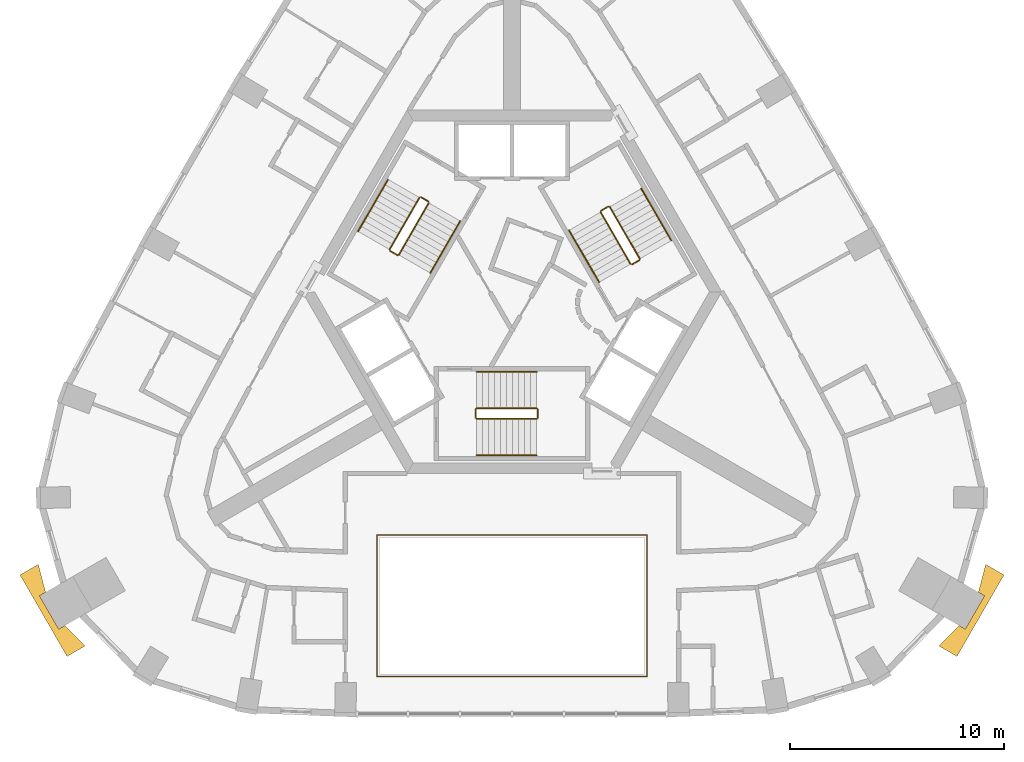
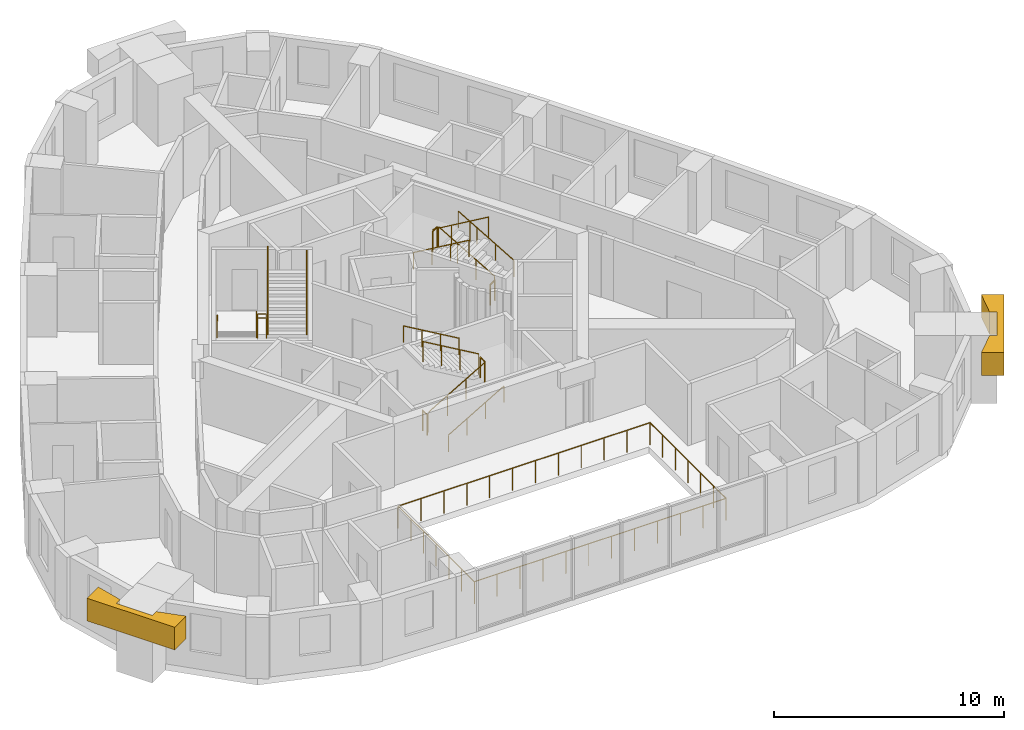
# One storey, part 9 of 10: 19 railings, 2 coverings.
"""IFC4 building model written with IfcOpenShell, lengths in metres."""

from ifc_helpers import new_model, si_unit, direction, frame, origin, origin_2d, place, context, subcontext, project, spatial, polyline, circle, outline, extrude, material, type_object, element, save


model = new_model("IFC4")

# Units and contexts
model_context = context("Model", 3, precision=1e-05, world=origin(), true_north=direction((0.0, 1.0)))
body_context = subcontext(model_context, "Body", "Model", "MODEL_VIEW")
ifc_project = project(units=[si_unit("LENGTHUNIT", "METRE"), si_unit("AREAUNIT", "SQUARE_METRE"), si_unit("VOLUMEUNIT", "CUBIC_METRE"), si_unit("PLANEANGLEUNIT", "RADIAN"), si_unit("MASSUNIT", "GRAM", prefix="KILO")], contexts=[model_context])

# Site, building, storey
site_placement = place(None, origin())
site = spatial("IfcSite", under=ifc_project, at=site_placement, CompositionType="ELEMENT")
building_placement = place(site_placement, origin())
building = spatial("IfcBuilding", under=site, at=building_placement, Name="Entoto Arch Interchange Tower", CompositionType="ELEMENT")
storey_placement = place(building_placement, frame((0.0, 0.0, 293.60009765625)))
storey = spatial("IfcBuildingStorey", under=building, at=storey_placement, Name="L68", CompositionType="ELEMENT", Elevation=293.60009765625)

# Railing
ifc_material_1 = material(Name="Stainless steel 1.4301", Category="steel")
railing_type_1 = type_object("IfcRailingType", Name="ATRIUM GUARD 1200 STEEL AND GLASS", PredefinedType="GUARDRAIL", material=ifc_material_1)
railing_1_placement = place(storey_placement, frame((6.320068359375, -15.5009765625, 0.0)))
element("IfcRailing", 1, at=railing_1_placement, inside=storey, type_object=railing_type_1, Name="Atrium guard L68", PredefinedType="GUARDRAIL", context=body_context, shape_type="SweptSolid", body=[
    extrude(circle(Radius=0.02392578125, at=origin_2d()), frame((0.0, 0.0, 1.17578125), z_axis=(-1.0, 0.0, 0.0), x_axis=(0.0, -1.0, 0.0)), (0.0, 0.0, 1.0), 12.64013671875),
    extrude(circle(Radius=0.02392578125, at=origin_2d()), frame((-12.64013671875, 0.0, 1.17578125), z_axis=(0.0, 1.0, 0.0), x_axis=(-1.0, 0.0, 0.0)), (0.0, 0.0, 1.0), 6.62109375),
    extrude(circle(Radius=0.02392578125, at=origin_2d()), frame((-12.64013671875, 6.62109375, 1.17578125), z_axis=(1.0, 0.0, 0.0), x_axis=(0.0, 1.0, 0.0)), (0.0, 0.0, 1.0), 12.64013671875),
    extrude(circle(Radius=0.02392578125, at=origin_2d()), frame((0.0, 6.62109375, 1.17578125), z_axis=(0.0, -1.0, 0.0), x_axis=(1.0, 0.0, 0.0)), (0.0, 0.0, 1.0), 6.62109375),
    extrude(circle(Radius=0.02099609375, at=origin_2d()), origin(), (0.0, 0.0, 1.0), 1.15185546875),
    extrude(circle(Radius=0.02099609375, at=origin_2d()), frame((-1.149169921875, 0.0, 0.0)), (0.0, 0.0, 1.0), 1.15185546875),
    extrude(circle(Radius=0.02099609375, at=origin_2d()), frame((-2.298095703125, 0.0, 0.0)), (0.0, 0.0, 1.0), 1.15185546875),
    extrude(circle(Radius=0.02099609375, at=origin_2d()), frame((-3.447265625, 0.0, 0.0)), (0.0, 0.0, 1.0), 1.15185546875),
    extrude(circle(Radius=0.02099609375, at=origin_2d()), frame((-4.596435546875, 0.0, 0.0)), (0.0, 0.0, 1.0), 1.15185546875),
    extrude(circle(Radius=0.02099609375, at=origin_2d()), frame((-5.74560546875, 0.0, 0.0)), (0.0, 0.0, 1.0), 1.15185546875),
    extrude(circle(Radius=0.02099609375, at=origin_2d()), frame((-6.89453125, 0.0, 0.0)), (0.0, 0.0, 1.0), 1.15185546875),
    extrude(circle(Radius=0.02099609375, at=origin_2d()), frame((-8.043701171875, 0.0, 0.0)), (0.0, 0.0, 1.0), 1.15185546875),
    extrude(circle(Radius=0.02099609375, at=origin_2d()), frame((-9.19287109375, 0.0, 0.0)), (0.0, 0.0, 1.0), 1.15185546875),
    extrude(circle(Radius=0.02099609375, at=origin_2d()), frame((-10.342041015625, 0.0, 0.0)), (0.0, 0.0, 1.0), 1.15185546875),
    extrude(circle(Radius=0.02099609375, at=origin_2d()), frame((-11.490966796875, 0.0, 0.0)), (0.0, 0.0, 1.0), 1.15185546875),
    extrude(circle(Radius=0.02099609375, at=origin_2d()), frame((-12.64013671875, 0.0, 0.0)), (0.0, 0.0, 1.0), 1.15185546875),
    extrude(circle(Radius=0.02099609375, at=origin_2d()), frame((-12.64013671875, 1.103515625, 0.0)), (0.0, 0.0, 1.0), 1.15185546875),
    extrude(circle(Radius=0.02099609375, at=origin_2d()), frame((-12.64013671875, 2.20703125, 0.0)), (0.0, 0.0, 1.0), 1.15185546875),
    extrude(circle(Radius=0.02099609375, at=origin_2d()), frame((-12.64013671875, 3.310546875, 0.0)), (0.0, 0.0, 1.0), 1.15185546875),
    extrude(circle(Radius=0.02099609375, at=origin_2d()), frame((-12.64013671875, 4.4140625, 0.0)), (0.0, 0.0, 1.0), 1.15185546875),
    extrude(circle(Radius=0.02099609375, at=origin_2d()), frame((-12.64013671875, 5.517578125, 0.0)), (0.0, 0.0, 1.0), 1.15185546875),
    extrude(circle(Radius=0.02099609375, at=origin_2d()), frame((-12.64013671875, 6.62109375, 0.0)), (0.0, 0.0, 1.0), 1.15185546875),
    extrude(circle(Radius=0.02099609375, at=origin_2d()), frame((-11.490966796875, 6.62109375, 0.0)), (0.0, 0.0, 1.0), 1.15185546875),
    extrude(circle(Radius=0.02099609375, at=origin_2d()), frame((-10.342041015625, 6.62109375, 0.0)), (0.0, 0.0, 1.0), 1.15185546875),
    extrude(circle(Radius=0.02099609375, at=origin_2d()), frame((-9.19287109375, 6.62109375, 0.0)), (0.0, 0.0, 1.0), 1.15185546875),
    extrude(circle(Radius=0.02099609375, at=origin_2d()), frame((-8.043701171875, 6.62109375, 0.0)), (0.0, 0.0, 1.0), 1.15185546875),
    extrude(circle(Radius=0.02099609375, at=origin_2d()), frame((-6.89453125, 6.62109375, 0.0)), (0.0, 0.0, 1.0), 1.15185546875),
    extrude(circle(Radius=0.02099609375, at=origin_2d()), frame((-5.74560546875, 6.62109375, 0.0)), (0.0, 0.0, 1.0), 1.15185546875),
    extrude(circle(Radius=0.02099609375, at=origin_2d()), frame((-4.596435546875, 6.62109375, 0.0)), (0.0, 0.0, 1.0), 1.15185546875),
    extrude(circle(Radius=0.02099609375, at=origin_2d()), frame((-3.447265625, 6.62109375, 0.0)), (0.0, 0.0, 1.0), 1.15185546875),
    extrude(circle(Radius=0.02099609375, at=origin_2d()), frame((-2.298095703125, 6.62109375, 0.0)), (0.0, 0.0, 1.0), 1.15185546875),
    extrude(circle(Radius=0.02099609375, at=origin_2d()), frame((-1.149169921875, 6.62109375, 0.0)), (0.0, 0.0, 1.0), 1.15185546875),
    extrude(circle(Radius=0.02099609375, at=origin_2d()), frame((0.0, 6.62109375, 0.0)), (0.0, 0.0, 1.0), 1.15185546875),
    extrude(circle(Radius=0.02099609375, at=origin_2d()), frame((0.0, 5.517578125, 0.0)), (0.0, 0.0, 1.0), 1.15185546875),
    extrude(circle(Radius=0.02099609375, at=origin_2d()), frame((0.0, 4.4140625, 0.0)), (0.0, 0.0, 1.0), 1.15185546875),
    extrude(circle(Radius=0.02099609375, at=origin_2d()), frame((0.0, 3.310546875, 0.0)), (0.0, 0.0, 1.0), 1.15185546875),
    extrude(circle(Radius=0.02099609375, at=origin_2d()), frame((0.0, 2.20703125, 0.0)), (0.0, 0.0, 1.0), 1.15185546875),
    extrude(circle(Radius=0.02099609375, at=origin_2d()), frame((0.0, 1.103515625, 0.0)), (0.0, 0.0, 1.0), 1.15185546875),
])

# Coverings
ifc_material_2 = material(Name="Board-marked precast concrete C50/60", Category="concrete")
covering_type = type_object("IfcCoveringType", Name="PRECAST FRAME COURSE", PredefinedType="CLADDING", material=ifc_material_2)
covering_1_placement = place(storey_placement, frame((0.0, 0.0, 2.059814453125)))
element("IfcCovering", 2, at=covering_1_placement, inside=storey, type_object=covering_type, Name="Corner pilaster head SE L66-L68", PredefinedType="CLADDING", context=body_context, shape_type="SweptSolid", body=[
    extrude(outline(polyline([(23.01708984375, -10.7490234375), (20.81689453125, -14.55908203125), (19.9619140625, -14.06591796875), (20.919921875, -13.117919921875), (21.20703125, -13.282958984375), (22.10693359375, -11.72509765625), (21.820068359375, -11.55908203125), (22.162109375, -10.2548828125), (23.01708984375, -10.7490234375)])), origin(), (0.0, 0.0, 1.0), 1.2001953125),
])
covering_2_placement = place(storey_placement, frame((0.0, 0.0, 2.059814453125)))
element("IfcCovering", 3, at=covering_2_placement, inside=storey, type_object=covering_type, Name="Corner pilaster head SW L66-L68", PredefinedType="CLADDING", context=body_context, shape_type="SweptSolid", body=[
    extrude(outline(polyline([(-20.81689453125, -14.55908203125), (-23.01708984375, -10.7490234375), (-22.162109375, -10.2548828125), (-21.820068359375, -11.55908203125), (-22.10693359375, -11.72509765625), (-21.20703125, -13.282958984375), (-20.919921875, -13.117919921875), (-19.9619140625, -14.06591796875), (-20.81689453125, -14.55908203125)])), origin(), (0.0, 0.0, 1.0), 1.2001953125),
])

# Railings
railing_type_2 = type_object("IfcRailingType", Name="STAIR GUARD 1100 STEEL", PredefinedType="GUARDRAIL", material=ifc_material_1)
railing_2_placement = place(storey_placement, frame((-1.64990234375, -3.449951171875, 0.16357421875)))
element("IfcRailing", 4, at=railing_2_placement, inside=storey, type_object=railing_type_2, Name="L68 ST-S stair guard 1", PredefinedType="GUARDRAIL", context=body_context, shape_type="SweptSolid", body=[
    extrude(circle(Radius=0.02392578125, at=origin_2d()), frame((0.0, 0.0, 1.076171875), z_axis=(0.863374499697, 0.0, 0.504563646405), x_axis=(0.0, 1.0, 0.0)), (0.0, 0.0, 1.0), 3.242919921875),
    extrude(circle(Radius=0.02099609375, at=origin_2d()), origin(), (0.0, 0.0, 1.0), 1.052001953125),
    extrude(circle(Radius=0.02099609375, at=origin_2d()), frame((0.933349609375, 0.0, 0.54541015625)), (0.0, 0.0, 1.0), 1.052001953125),
    extrude(circle(Radius=0.02099609375, at=origin_2d()), frame((1.866455078125, 0.0, 1.0908203125)), (0.0, 0.0, 1.0), 1.052001953125),
    extrude(circle(Radius=0.02099609375, at=origin_2d()), frame((2.7998046875, 0.0, 1.63623046875)), (0.0, 0.0, 1.0), 1.052001953125),
])
railing_3_placement = place(storey_placement, frame((1.199951171875, -3.39990234375, 1.7998046875)))
element("IfcRailing", 5, at=railing_3_placement, inside=storey, type_object=railing_type_2, Name="L68 ST-S stair guard 2", PredefinedType="GUARDRAIL", context=body_context, shape_type="SweptSolid", body=[
    extrude(circle(Radius=0.02392578125, at=origin_2d()), frame((0.0, 0.0, 1.076171875), z_axis=(0.0, 1.0, 0.0), x_axis=(-1.0, 0.0, 0.0)), (0.0, 0.0, 1.0), 0.39990234375),
    extrude(circle(Radius=0.02099609375, at=origin_2d()), origin(), (0.0, 0.0, 1.0), 1.052001953125),
    extrude(circle(Radius=0.02099609375, at=origin_2d()), frame((0.0, 0.39990234375, 0.0)), (0.0, 0.0, 1.0), 1.052001953125),
])
railing_4_placement = place(storey_placement, frame((1.14990234375, -2.949951171875, 1.963623046875)))
element("IfcRailing", 6, at=railing_4_placement, inside=storey, type_object=railing_type_2, Name="L68 ST-S stair guard 3", PredefinedType="GUARDRAIL", context=body_context, shape_type="SweptSolid", body=[
    extrude(circle(Radius=0.02392578125, at=origin_2d()), frame((0.0, 0.0, 1.076171875), z_axis=(-0.863374499697, 0.0, 0.504563646405), x_axis=(0.0, -1.0, 0.0)), (0.0, 0.0, 1.0), 3.242919921875),
    extrude(circle(Radius=0.02099609375, at=origin_2d()), origin(), (0.0, 0.0, 1.0), 1.052001953125),
    extrude(circle(Radius=0.02099609375, at=origin_2d()), frame((-0.933349609375, 0.0, 0.54541015625)), (0.0, 0.0, 1.0), 1.052001953125),
    extrude(circle(Radius=0.02099609375, at=origin_2d()), frame((-1.866455078125, 0.0, 1.0908203125)), (0.0, 0.0, 1.0), 1.052001953125),
    extrude(circle(Radius=0.02099609375, at=origin_2d()), frame((-2.7998046875, 0.0, 1.63623046875)), (0.0, 0.0, 1.0), 1.052001953125),
])
railing_5_placement = place(storey_placement, frame((-1.699951171875, -3.39990234375, 0.0)))
element("IfcRailing", 7, at=railing_5_placement, inside=storey, type_object=railing_type_2, Name="L68 ST-S stair guard 4", PredefinedType="GUARDRAIL", context=body_context, shape_type="SweptSolid", body=[
    extrude(circle(Radius=0.02392578125, at=origin_2d()), frame((0.0, 0.0, 1.076171875), z_axis=(0.0, 1.0, 0.0), x_axis=(-1.0, 0.0, 0.0)), (0.0, 0.0, 1.0), 0.39990234375),
    extrude(circle(Radius=0.02099609375, at=origin_2d()), origin(), (0.0, 0.0, 1.0), 1.052001953125),
    extrude(circle(Radius=0.02099609375, at=origin_2d()), frame((0.0, 0.39990234375, 0.0)), (0.0, 0.0, 1.0), 1.052001953125),
])
railing_6_placement = place(storey_placement, frame((5.977783203125, 4.046142578125, 0.16357421875)))
element("IfcRailing", 8, at=railing_6_placement, inside=storey, type_object=railing_type_2, Name="L68 ST-NE stair guard 1", PredefinedType="GUARDRAIL", context=body_context, shape_type="SweptSolid", body=[
    extrude(circle(Radius=0.02392578125, at=origin_2d()), frame((0.0, 0.0, 1.076171875), z_axis=(-0.431677027627, 0.74771821388, 0.504551698492), x_axis=(-0.866034573852, -0.49998411664, 0.0)), (0.0, 0.0, 1.0), 3.242919921875),
    extrude(circle(Radius=0.02099609375, at=origin_2d()), origin(), (0.0, 0.0, 1.0), 1.052001953125),
    extrude(circle(Radius=0.02099609375, at=origin_2d()), frame((-0.466552734375, 0.808349609375, 0.54541015625)), (0.0, 0.0, 1.0), 1.052001953125),
    extrude(circle(Radius=0.02099609375, at=origin_2d()), frame((-0.933349609375, 1.616455078125, 1.0908203125)), (0.0, 0.0, 1.0), 1.052001953125),
    extrude(circle(Radius=0.02099609375, at=origin_2d()), frame((-1.39990234375, 2.4248046875, 1.63623046875)), (0.0, 0.0, 1.0), 1.052001953125),
])
railing_7_placement = place(storey_placement, frame((4.509521484375, 6.4892578125, 1.7998046875)))
element("IfcRailing", 9, at=railing_7_placement, inside=storey, type_object=railing_type_2, Name="L68 ST-NE stair guard 2", PredefinedType="GUARDRAIL", context=body_context, shape_type="SweptSolid", body=[
    extrude(circle(Radius=0.02392578125, at=origin_2d()), frame((0.0, 0.0, 1.076171875), z_axis=(-0.866094119867, -0.499880961361, 0.0), x_axis=(0.499880961361, -0.866094119867, 0.0)), (0.0, 0.0, 1.0), 0.39990234375),
    extrude(circle(Radius=0.02099609375, at=origin_2d()), origin(), (0.0, 0.0, 1.0), 1.052001953125),
    extrude(circle(Radius=0.02099609375, at=origin_2d()), frame((-0.346435546875, -0.199951171875, 0.0)), (0.0, 0.0, 1.0), 1.052001953125),
])
railing_8_placement = place(storey_placement, frame((4.144775390625, 6.220947265625, 1.963623046875)))
element("IfcRailing", 10, at=railing_8_placement, inside=storey, type_object=railing_type_2, Name="L68 ST-NE stair guard 3", PredefinedType="GUARDRAIL", context=body_context, shape_type="SweptSolid", body=[
    extrude(circle(Radius=0.02392578125, at=origin_2d()), frame((0.0, 0.0, 1.076171875), z_axis=(0.431738279637, -0.747693913401, 0.504535300807), x_axis=(0.865996816683, 0.500049511043, 0.0)), (0.0, 0.0, 1.0), 3.2431640625),
    extrude(circle(Radius=0.02099609375, at=origin_2d()), origin(), (0.0, 0.0, 1.0), 1.052001953125),
    extrude(circle(Radius=0.02099609375, at=origin_2d()), frame((0.466796875, -0.808349609375, 0.54541015625)), (0.0, 0.0, 1.0), 1.052001953125),
    extrude(circle(Radius=0.02099609375, at=origin_2d()), frame((0.933349609375, -1.616455078125, 1.0908203125)), (0.0, 0.0, 1.0), 1.052001953125),
    extrude(circle(Radius=0.02099609375, at=origin_2d()), frame((1.400146484375, -2.4248046875, 1.63623046875)), (0.0, 0.0, 1.0), 1.052001953125),
])
railing_9_placement = place(storey_placement, frame((5.95947265625, 3.977783203125, 0.0)))
element("IfcRailing", 11, at=railing_9_placement, inside=storey, type_object=railing_type_2, Name="L68 ST-NE stair guard 4", PredefinedType="GUARDRAIL", context=body_context, shape_type="SweptSolid", body=[
    extrude(circle(Radius=0.02392578125, at=origin_2d()), frame((0.0, 0.0, 1.076171875), z_axis=(-0.866094119867, -0.499880961361, 0.0), x_axis=(0.499880961361, -0.866094119867, 0.0)), (0.0, 0.0, 1.0), 0.39990234375),
    extrude(circle(Radius=0.02099609375, at=origin_2d()), origin(), (0.0, 0.0, 1.0), 1.052001953125),
    extrude(circle(Radius=0.02099609375, at=origin_2d()), frame((-0.346435546875, -0.199951171875, 0.0)), (0.0, 0.0, 1.0), 1.052001953125),
])
railing_10_placement = place(storey_placement, frame((-4.327880859375, 6.904052734375, 0.16357421875)))
element("IfcRailing", 12, at=railing_10_placement, inside=storey, type_object=railing_type_2, Name="L68 ST-NW stair guard 1", PredefinedType="GUARDRAIL", context=body_context, shape_type="SweptSolid", body=[
    extrude(circle(Radius=0.02392578125, at=origin_2d()), frame((0.0, 0.0, 1.076171875), z_axis=(-0.43165272891, -0.747751404999, 0.504523297725), x_axis=(0.866056369097, -0.49994636267, 0.0)), (0.0, 0.0, 1.0), 3.2431640625),
    extrude(circle(Radius=0.02099609375, at=origin_2d()), origin(), (0.0, 0.0, 1.0), 1.052001953125),
    extrude(circle(Radius=0.02099609375, at=origin_2d()), frame((-0.466552734375, -0.808349609375, 0.54541015625)), (0.0, 0.0, 1.0), 1.052001953125),
    extrude(circle(Radius=0.02099609375, at=origin_2d()), frame((-0.933349609375, -1.61669921875, 1.0908203125)), (0.0, 0.0, 1.0), 1.052001953125),
    extrude(circle(Radius=0.02099609375, at=origin_2d()), frame((-1.39990234375, -2.425048828125, 1.63623046875)), (0.0, 0.0, 1.0), 1.052001953125),
])
railing_11_placement = place(storey_placement, frame((-5.70947265625, 4.410888671875, 1.7998046875)))
element("IfcRailing", 13, at=railing_11_placement, inside=storey, type_object=railing_type_2, Name="L68 ST-NW stair guard 2", PredefinedType="GUARDRAIL", context=body_context, shape_type="SweptSolid", body=[
    extrude(circle(Radius=0.02392578125, at=origin_2d()), frame((0.0, 0.0, 1.076171875), z_axis=(0.865829829939, -0.500338590944, 0.0), x_axis=(0.500338590944, 0.865829829939, 0.0)), (0.0, 0.0, 1.0), 0.400146484375),
    extrude(circle(Radius=0.02099609375, at=origin_2d()), origin(), (0.0, 0.0, 1.0), 1.052001953125),
    extrude(circle(Radius=0.02099609375, at=origin_2d()), frame((0.346435546875, -0.2001953125, 0.0)), (0.0, 0.0, 1.0), 1.052001953125),
])
railing_12_placement = place(storey_placement, frame((-5.294921875, 4.22900390625, 1.963623046875)))
element("IfcRailing", 14, at=railing_12_placement, inside=storey, type_object=railing_type_2, Name="L68 ST-NW stair guard 3", PredefinedType="GUARDRAIL", context=body_context, shape_type="SweptSolid", body=[
    extrude(circle(Radius=0.02392578125, at=origin_2d()), frame((0.0, 0.0, 1.076171875), z_axis=(0.431713979052, 0.747727106176, 0.504506902808), x_axis=(-0.866018616679, 0.500011755427, 0.0)), (0.0, 0.0, 1.0), 3.2431640625),
    extrude(circle(Radius=0.02099609375, at=origin_2d()), origin(), (0.0, 0.0, 1.0), 1.052001953125),
    extrude(circle(Radius=0.02099609375, at=origin_2d()), frame((0.466796875, 0.808349609375, 0.54541015625)), (0.0, 0.0, 1.0), 1.052001953125),
    extrude(circle(Radius=0.02099609375, at=origin_2d()), frame((0.933349609375, 1.61669921875, 1.0908203125)), (0.0, 0.0, 1.0), 1.052001953125),
    extrude(circle(Radius=0.02099609375, at=origin_2d()), frame((1.400146484375, 2.425048828125, 1.63623046875)), (0.0, 0.0, 1.0), 1.052001953125),
])
railing_13_placement = place(storey_placement, frame((-4.259521484375, 6.92236328125, 0.0)))
element("IfcRailing", 15, at=railing_13_placement, inside=storey, type_object=railing_type_2, Name="L68 ST-NW stair guard 4", PredefinedType="GUARDRAIL", context=body_context, shape_type="SweptSolid", body=[
    extrude(circle(Radius=0.02392578125, at=origin_2d()), frame((0.0, 0.0, 1.076171875), z_axis=(0.865829829939, -0.500338590944, 0.0), x_axis=(0.500338590944, 0.865829829939, 0.0)), (0.0, 0.0, 1.0), 0.400146484375),
    extrude(circle(Radius=0.02099609375, at=origin_2d()), origin(), (0.0, 0.0, 1.0), 1.052001953125),
    extrude(circle(Radius=0.02099609375, at=origin_2d()), frame((0.346435546875, -0.2001953125, 0.0)), (0.0, 0.0, 1.0), 1.052001953125),
])
railing_type_3 = type_object("IfcRailingType", Name="STAIR HANDRAIL 900 STEEL", PredefinedType="HANDRAIL", material=ifc_material_1)
railing_14_placement = place(storey_placement, frame((-1.64990234375, -5.14990234375, 0.16357421875)))
element("IfcRailing", 16, at=railing_14_placement, inside=storey, type_object=railing_type_3, Name="L68 ST-S stair handrail 1", PredefinedType="HANDRAIL", context=body_context, shape_type="SweptSolid", body=[
    extrude(circle(Radius=0.02392578125, at=origin_2d()), frame((0.0, 0.0, 0.8759765625), z_axis=(0.863374499697, 0.0, 0.504563646405), x_axis=(0.0, 1.0, 0.0)), (0.0, 0.0, 1.0), 3.242919921875),
    extrude(circle(Radius=0.02099609375, at=origin_2d()), origin(), (0.0, 0.0, 1.0), 0.851806640625),
    extrude(circle(Radius=0.02099609375, at=origin_2d()), frame((0.933349609375, 0.0, 0.54541015625)), (0.0, 0.0, 1.0), 0.851806640625),
    extrude(circle(Radius=0.02099609375, at=origin_2d()), frame((1.866455078125, 0.0, 1.0908203125)), (0.0, 0.0, 1.0), 0.851806640625),
    extrude(circle(Radius=0.02099609375, at=origin_2d()), frame((2.7998046875, 0.0, 1.63623046875)), (0.0, 0.0, 1.0), 0.851806640625),
])
railing_15_placement = place(storey_placement, frame((1.14990234375, -1.25, 1.963623046875)))
element("IfcRailing", 17, at=railing_15_placement, inside=storey, type_object=railing_type_3, Name="L68 ST-S stair handrail 2", PredefinedType="HANDRAIL", context=body_context, shape_type="SweptSolid", body=[
    extrude(circle(Radius=0.02392578125, at=origin_2d()), frame((0.0, 0.0, 0.8759765625), z_axis=(-0.863374499697, 0.0, 0.504563646405), x_axis=(0.0, -1.0, 0.0)), (0.0, 0.0, 1.0), 3.242919921875),
    extrude(circle(Radius=0.02099609375, at=origin_2d()), origin(), (0.0, 0.0, 1.0), 0.851806640625),
    extrude(circle(Radius=0.02099609375, at=origin_2d()), frame((-0.933349609375, 0.0, 0.54541015625)), (0.0, 0.0, 1.0), 0.851806640625),
    extrude(circle(Radius=0.02099609375, at=origin_2d()), frame((-1.866455078125, 0.0, 1.0908203125)), (0.0, 0.0, 1.0), 0.851806640625),
    extrude(circle(Radius=0.02099609375, at=origin_2d()), frame((-2.7998046875, 0.0, 1.63623046875)), (0.0, 0.0, 1.0), 0.851806640625),
])
railing_16_placement = place(storey_placement, frame((7.4501953125, 4.89599609375, 0.16357421875)))
element("IfcRailing", 18, at=railing_16_placement, inside=storey, type_object=railing_type_3, Name="L68 ST-NE stair handrail 1", PredefinedType="HANDRAIL", context=body_context, shape_type="SweptSolid", body=[
    extrude(circle(Radius=0.02392578125, at=origin_2d()), frame((0.0, 0.0, 0.8759765625), z_axis=(-0.431713979052, 0.747727106176, 0.504506902808), x_axis=(-0.866018616679, -0.500011755427, 0.0)), (0.0, 0.0, 1.0), 3.2431640625),
    extrude(circle(Radius=0.02099609375, at=origin_2d()), origin(), (0.0, 0.0, 1.0), 0.851806640625),
    extrude(circle(Radius=0.02099609375, at=origin_2d()), frame((-0.466796875, 0.808349609375, 0.54541015625)), (0.0, 0.0, 1.0), 0.851806640625),
    extrude(circle(Radius=0.02099609375, at=origin_2d()), frame((-0.933349609375, 1.61669921875, 1.0908203125)), (0.0, 0.0, 1.0), 0.851806640625),
    extrude(circle(Radius=0.02099609375, at=origin_2d()), frame((-1.400146484375, 2.425048828125, 1.63623046875)), (0.0, 0.0, 1.0), 0.851806640625),
])
railing_17_placement = place(storey_placement, frame((2.672607421875, 5.370849609375, 1.963623046875)))
element("IfcRailing", 19, at=railing_17_placement, inside=storey, type_object=railing_type_3, Name="L68 ST-NE stair handrail 2", PredefinedType="HANDRAIL", context=body_context, shape_type="SweptSolid", body=[
    extrude(circle(Radius=0.02392578125, at=origin_2d()), frame((0.0, 0.0, 0.8759765625), z_axis=(0.431677027627, -0.74771821388, 0.504551698492), x_axis=(0.866034573852, 0.49998411664, 0.0)), (0.0, 0.0, 1.0), 3.242919921875),
    extrude(circle(Radius=0.02099609375, at=origin_2d()), origin(), (0.0, 0.0, 1.0), 0.851806640625),
    extrude(circle(Radius=0.02099609375, at=origin_2d()), frame((0.466552734375, -0.808349609375, 0.54541015625)), (0.0, 0.0, 1.0), 0.851806640625),
    extrude(circle(Radius=0.02099609375, at=origin_2d()), frame((0.933349609375, -1.616455078125, 1.0908203125)), (0.0, 0.0, 1.0), 0.851806640625),
    extrude(circle(Radius=0.02099609375, at=origin_2d()), frame((1.39990234375, -2.4248046875, 1.63623046875)), (0.0, 0.0, 1.0), 0.851806640625),
])
railing_18_placement = place(storey_placement, frame((-5.800048828125, 7.75390625, 0.16357421875)))
element("IfcRailing", 20, at=railing_18_placement, inside=storey, type_object=railing_type_3, Name="L68 ST-NW stair handrail 1", PredefinedType="HANDRAIL", context=body_context, shape_type="SweptSolid", body=[
    extrude(circle(Radius=0.02392578125, at=origin_2d()), frame((0.0, 0.0, 0.8759765625), z_axis=(-0.431738279637, -0.747693913401, 0.504535300807), x_axis=(0.865996816683, -0.500049511043, 0.0)), (0.0, 0.0, 1.0), 3.2431640625),
    extrude(circle(Radius=0.02099609375, at=origin_2d()), origin(), (0.0, 0.0, 1.0), 0.851806640625),
    extrude(circle(Radius=0.02099609375, at=origin_2d()), frame((-0.466796875, -0.808349609375, 0.54541015625)), (0.0, 0.0, 1.0), 0.851806640625),
    extrude(circle(Radius=0.02099609375, at=origin_2d()), frame((-0.933349609375, -1.616455078125, 1.0908203125)), (0.0, 0.0, 1.0), 0.851806640625),
    extrude(circle(Radius=0.02099609375, at=origin_2d()), frame((-1.400146484375, -2.4248046875, 1.63623046875)), (0.0, 0.0, 1.0), 0.851806640625),
])
railing_19_placement = place(storey_placement, frame((-3.822509765625, 3.379150390625, 1.963623046875)))
element("IfcRailing", 21, at=railing_19_placement, inside=storey, type_object=railing_type_3, Name="L68 ST-NW stair handrail 2", PredefinedType="HANDRAIL", context=body_context, shape_type="SweptSolid", body=[
    extrude(circle(Radius=0.02392578125, at=origin_2d()), frame((0.0, 0.0, 0.8759765625), z_axis=(0.431677027627, 0.74771821388, 0.504551698492), x_axis=(-0.866034573852, 0.49998411664, 0.0)), (0.0, 0.0, 1.0), 3.242919921875),
    extrude(circle(Radius=0.02099609375, at=origin_2d()), origin(), (0.0, 0.0, 1.0), 0.851806640625),
    extrude(circle(Radius=0.02099609375, at=origin_2d()), frame((0.466552734375, 0.808349609375, 0.54541015625)), (0.0, 0.0, 1.0), 0.851806640625),
    extrude(circle(Radius=0.02099609375, at=origin_2d()), frame((0.933349609375, 1.616455078125, 1.0908203125)), (0.0, 0.0, 1.0), 0.851806640625),
    extrude(circle(Radius=0.02099609375, at=origin_2d()), frame((1.39990234375, 2.4248046875, 1.63623046875)), (0.0, 0.0, 1.0), 0.851806640625),
])

save(model, "model.ifc")
